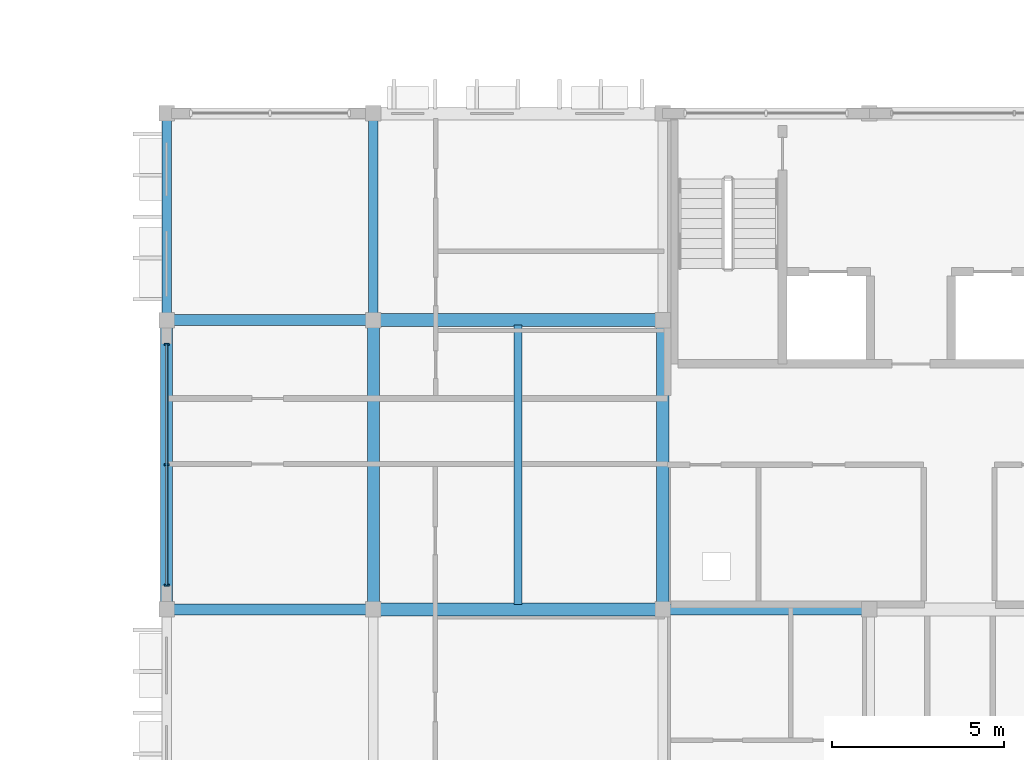
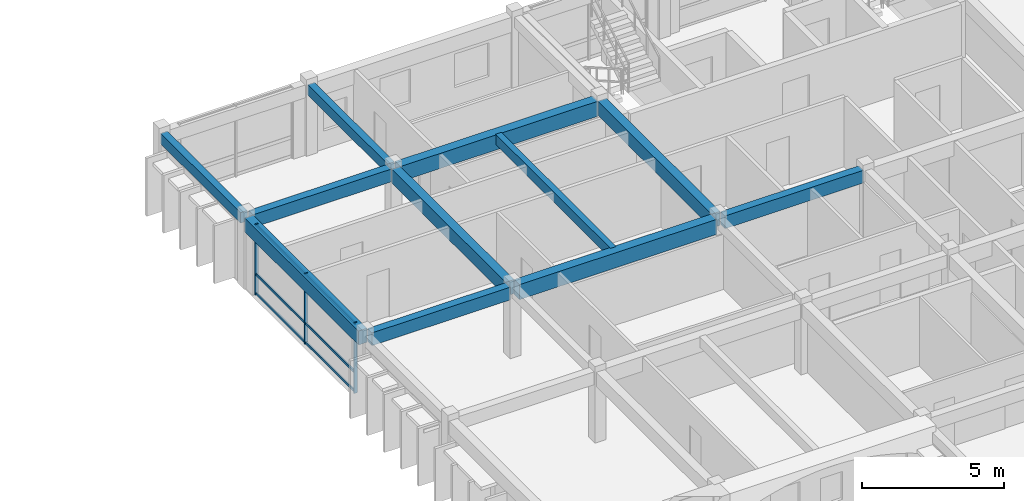
# One storey, part 13 of 76: 11 beams, 6 members, 1 element without a shape of its own.
"""IFC4 building model written with IfcOpenShell, lengths in metres."""

from ifc_helpers import new_model, si_unit, direction, frame, origin, origin_2d, place, context, subcontext, project, spatial, rectangle, extrude, material, material_profile, profile_set, type_object, element, aggregate, save


model = new_model("IFC4")

# Units and contexts
model_context = context("Model", 3, precision=1e-05, world=origin(), true_north=direction((0.0, 1.0)))
body_context = subcontext(model_context, "Body", "Model", "MODEL_VIEW")
ifc_project = project(units=[si_unit("LENGTHUNIT", "METRE"), si_unit("AREAUNIT", "SQUARE_METRE"), si_unit("VOLUMEUNIT", "CUBIC_METRE"), si_unit("PLANEANGLEUNIT", "RADIAN"), si_unit("MASSUNIT", "GRAM", prefix="KILO"), si_unit("THERMODYNAMICTEMPERATUREUNIT", "KELVIN")], contexts=[model_context])

# Site, building, storey
site_placement = place(None, origin())
site = spatial("IfcSite", under=ifc_project, at=site_placement, CompositionType="ELEMENT")
building_placement = place(site_placement, origin())
building = spatial("IfcBuilding", under=site, at=building_placement, Name="Thalorik Housing Commons", CompositionType="ELEMENT")
storey_placement = place(building_placement, frame((0.0, 0.0, 18.0)))
storey = spatial("IfcBuildingStorey", under=building, at=storey_placement, Name="L05", CompositionType="ELEMENT", Elevation=18.0)

# Curtain wall, members
ifc_material_1 = material(Name="Anodised aluminium and solar-control low-E glass", Category="aluminium")
curtain_wall_type = type_object("IfcCurtainWallType", Name="ARC-CW-LOUNGE", PredefinedType="USERDEFINED", material=ifc_material_1)
curtain_wall_placement = place(storey_placement, origin())
curtain_wall = element("IfcCurtainWall", 1, at=curtain_wall_placement, inside=storey, type_object=curtain_wall_type, Name="L05 Curtain Wall CW-RES-L05-D-192", ObjectType="CURTAIN WALL", PredefinedType="USERDEFINED")
ifc_material_2 = material(Name="Anodised aluminium 6063-T6", Category="aluminium")
ifc_material_profile_1 = material_profile(ifc_material_2, rectangle(XDim=0.054931640625, YDim=0.139892578125, at=origin_2d()), Name="ALU MUL 55x140", Category="aluminium")
ifc_profile_set_1 = profile_set([ifc_material_profile_1], Name="Anodised aluminium 6063-T6")
member_type_1 = type_object("IfcMemberType", Name="ARC-CW-MUL-55x140", PredefinedType="MULLION", material=ifc_profile_set_1)
member_1_placement = place(storey_placement, frame((138.0, 65.300048828125, 0.0), z_axis=(0.0, 0.0, 1.0), x_axis=(0.0, -1.0, 0.0)))
member_1 = element("IfcMember", 2, at=member_1_placement, type_object=member_type_1, Name="CW-RES-L05-D-192 Mullion 1", PredefinedType="MULLION", context=body_context, shape_type="SweptSolid", body=[
    extrude(rectangle(XDim=0.054931640625, YDim=0.139892578125, at=origin_2d()), origin(), (0.0, 0.0, 1.0), 3.0400390625),
])
member_2_placement = place(storey_placement, frame((138.0, 61.800048828125, 0.0), z_axis=(0.0, 0.0, 1.0), x_axis=(0.0, -1.0, 0.0)))
member_2 = element("IfcMember", 3, at=member_2_placement, type_object=member_type_1, Name="CW-RES-L05-D-192 Mullion 2", PredefinedType="MULLION", context=body_context, shape_type="SweptSolid", body=[
    extrude(rectangle(XDim=0.054931640625, YDim=0.139892578125, at=origin_2d()), origin(), (0.0, 0.0, 1.0), 3.0400390625),
])
member_3_placement = place(storey_placement, frame((138.0, 58.300048828125, 0.0), z_axis=(0.0, 0.0, 1.0), x_axis=(0.0, -1.0, 0.0)))
member_3 = element("IfcMember", 4, at=member_3_placement, type_object=member_type_1, Name="CW-RES-L05-D-192 Mullion 3", PredefinedType="MULLION", context=body_context, shape_type="SweptSolid", body=[
    extrude(rectangle(XDim=0.054931640625, YDim=0.139892578125, at=origin_2d()), origin(), (0.0, 0.0, 1.0), 3.0400390625),
])
ifc_material_profile_2 = material_profile(ifc_material_2, rectangle(XDim=0.054931640625, YDim=0.10498046875, at=origin_2d()), Name="ALU TRN 55x105", Category="aluminium")
ifc_profile_set_2 = profile_set([ifc_material_profile_2], Name="Anodised aluminium 6063-T6")
member_type_2 = type_object("IfcMemberType", Name="ARC-CW-TRN-55x105", PredefinedType="USERDEFINED", material=ifc_profile_set_2)
member_4_placement = place(storey_placement, frame((138.0, 65.300048828125, 0.054931640625), z_axis=(0.0, -1.0, 0.0), x_axis=(1.0, 0.0, 0.0)))
member_4 = element("IfcMember", 5, at=member_4_placement, type_object=member_type_2, Name="CW-RES-L05-D-192 Transom 1", ObjectType="TRANSOM", PredefinedType="USERDEFINED", context=body_context, shape_type="SweptSolid", body=[
    extrude(rectangle(XDim=0.054931640625, YDim=0.10498046875, at=origin_2d()), origin(), (0.0, 0.0, 1.0), 7.0),
])
member_5_placement = place(storey_placement, frame((138.0, 65.300048828125, 0.8798828125), z_axis=(0.0, -1.0, 0.0), x_axis=(1.0, 0.0, 0.0)))
member_5 = element("IfcMember", 6, at=member_5_placement, type_object=member_type_2, Name="CW-RES-L05-D-192 Transom 2", ObjectType="TRANSOM", PredefinedType="USERDEFINED", context=body_context, shape_type="SweptSolid", body=[
    extrude(rectangle(XDim=0.054931640625, YDim=0.10498046875, at=origin_2d()), origin(), (0.0, 0.0, 1.0), 7.0),
])
member_6_placement = place(storey_placement, frame((138.0, 65.300048828125, 2.985107421875), z_axis=(0.0, -1.0, 0.0), x_axis=(1.0, 0.0, 0.0)))
member_6 = element("IfcMember", 7, at=member_6_placement, type_object=member_type_2, Name="CW-RES-L05-D-192 Transom 3", ObjectType="TRANSOM", PredefinedType="USERDEFINED", context=body_context, shape_type="SweptSolid", body=[
    extrude(rectangle(XDim=0.054931640625, YDim=0.10498046875, at=origin_2d()), origin(), (0.0, 0.0, 1.0), 7.0),
])
aggregate(curtain_wall, [member_1, member_2, member_3, member_4, member_5, member_6])

# Beams
ifc_material_3 = material(Name="Precast concrete C40/50", Category="concrete")
ifc_material_profile_3 = material_profile(ifc_material_3, rectangle(XDim=0.280029296875, YDim=0.449951171875, at=origin_2d()), Name="PC 280x450", Category="concrete")
ifc_profile_set_3 = profile_set([ifc_material_profile_3], Name="Precast concrete C40/50")
beam_type_1 = type_object("IfcBeamType", Name="STR-BM-PC280x450", PredefinedType="BEAM", material=ifc_profile_set_3)
for number, where, z_axis, x_axis, name in (
    (8, (138.0, 66.175048828125, 2.81494140625), (0.0, 1.0, 0.0), (-1.0, 0.0, 0.0), "L05 Beam B-450"),
    (9, (144.0, 66.175048828125, 2.81494140625), (0.0, 1.0, 0.0), (-1.0, 0.0, 0.0), "L05 Beam B-450"),
):
    element("IfcBeam", number, at=place(storey_placement, frame(where, z_axis=z_axis, x_axis=x_axis)), inside=storey, type_object=beam_type_1, Name=name, PredefinedType="BEAM", context=body_context, shape_type="SweptSolid", body=[
        extrude(rectangle(XDim=0.280029296875, YDim=0.449951171875, at=origin_2d()), origin(), (0.0, 0.0, 1.0), 5.64990234375),
    ])
ifc_material_profile_4 = material_profile(ifc_material_3, rectangle(XDim=0.320068359375, YDim=0.550048828125, at=origin_2d()), Name="PC 320x550", Category="concrete")
ifc_profile_set_4 = profile_set([ifc_material_profile_4], Name="Precast concrete C40/50")
beam_type_2 = type_object("IfcBeamType", Name="STR-BM-PC320x550", PredefinedType="BEAM", material=ifc_profile_set_4)
beam_1_placement = place(storey_placement, frame((138.175048828125, 57.60009765625, 2.764892578125), z_axis=(1.0, 0.0, 0.0), x_axis=(0.0, 1.0, 0.0)))
element("IfcBeam", 10, at=beam_1_placement, inside=storey, type_object=beam_type_2, Name="L05 Beam B-550", PredefinedType="BEAM", context=body_context, shape_type="SweptSolid", body=[
    extrude(rectangle(XDim=0.320068359375, YDim=0.550048828125, at=origin_2d()), origin(), (0.0, 0.0, 1.0), 5.64990234375),
])
beam_2_placement = place(storey_placement, frame((152.574951171875, 57.60009765625, 2.764892578125), z_axis=(1.0, 0.0, 0.0), x_axis=(0.0, 1.0, 0.0)))
element("IfcBeam", 11, at=beam_2_placement, inside=storey, type_object=beam_type_2, Name="L05 Beam B-550", PredefinedType="BEAM", context=body_context, shape_type="SweptSolid", body=[
    extrude(rectangle(XDim=0.320068359375, YDim=0.550048828125, at=origin_2d()), origin(), (0.0, 0.0, 1.0), 5.650146484375),
])
beam_3_placement = place(storey_placement, frame((138.175048828125, 66.0, 2.764892578125), z_axis=(1.0, 0.0, 0.0), x_axis=(0.0, 1.0, 0.0)))
element("IfcBeam", 12, at=beam_3_placement, inside=storey, type_object=beam_type_2, Name="L05 Beam B-550", PredefinedType="BEAM", context=body_context, shape_type="SweptSolid", body=[
    extrude(rectangle(XDim=0.320068359375, YDim=0.550048828125, at=origin_2d()), origin(), (0.0, 0.0, 1.0), 5.64990234375),
])
ifc_material_profile_5 = material_profile(ifc_material_3, rectangle(XDim=0.35009765625, YDim=0.60009765625, at=origin_2d()), Name="PC 350x600", Category="concrete")
ifc_profile_set_5 = profile_set([ifc_material_profile_5], Name="Precast concrete C40/50")
beam_type_3 = type_object("IfcBeamType", Name="STR-BM-PC350x600", PredefinedType="BEAM", material=ifc_profile_set_5)
for number, where, z_axis, x_axis, name in (
    (13, (138.0, 57.77490234375, 2.739990234375), (0.0, 1.0, 0.0), (-1.0, 0.0, 0.0), "L05 Beam B-600"),
    (14, (144.0, 57.77490234375, 2.739990234375), (0.0, 1.0, 0.0), (-1.0, 0.0, 0.0), "L05 Beam B-600"),
    (15, (152.39990234375, 57.77490234375, 2.739990234375), (0.0, 1.0, 0.0), (-1.0, 0.0, 0.0), "L05 Beam B-600"),
):
    element("IfcBeam", number, at=place(storey_placement, frame(where, z_axis=z_axis, x_axis=x_axis)), inside=storey, type_object=beam_type_3, Name=name, PredefinedType="BEAM", context=body_context, shape_type="SweptSolid", body=[
        extrude(rectangle(XDim=0.35009765625, YDim=0.60009765625, at=origin_2d()), origin(), (0.0, 0.0, 1.0), 8.050048828125),
    ])
ifc_material_profile_6 = material_profile(ifc_material_3, rectangle(XDim=0.3798828125, YDim=0.64990234375, at=origin_2d()), Name="PC 380x650", Category="concrete")
ifc_profile_set_6 = profile_set([ifc_material_profile_6], Name="Precast concrete C40/50")
beam_type_4 = type_object("IfcBeamType", Name="STR-BM-PC380x650", PredefinedType="BEAM", material=ifc_profile_set_6)
for number, where, z_axis, x_axis, name in (
    (16, (144.175048828125, 57.60009765625, 2.715087890625), (1.0, 0.0, 0.0), (0.0, 1.0, 0.0), "L05 Beam B-650"),
    (17, (144.175048828125, 66.0, 2.715087890625), (1.0, 0.0, 0.0), (0.0, 1.0, 0.0), "L05 Beam B-650"),
):
    element("IfcBeam", number, at=place(storey_placement, frame(where, z_axis=z_axis, x_axis=x_axis)), inside=storey, type_object=beam_type_4, Name=name, PredefinedType="BEAM", context=body_context, shape_type="SweptSolid", body=[
        extrude(rectangle(XDim=0.3798828125, YDim=0.64990234375, at=origin_2d()), origin(), (0.0, 0.0, 1.0), 8.050048828125),
    ])
ifc_material_profile_7 = material_profile(ifc_material_3, rectangle(XDim=0.239990234375, YDim=0.43994140625, at=origin_2d()), Name="PC JST 240x440", Category="concrete")
ifc_profile_set_7 = profile_set([ifc_material_profile_7], Name="Precast concrete C40/50")
beam_type_5 = type_object("IfcBeamType", Name="STR-JST-PC240x440", PredefinedType="JOIST", material=ifc_profile_set_7)
beam_4_placement = place(storey_placement, frame((148.199951171875, 57.739990234375, 2.820068359375), z_axis=(0.0, 1.0, 0.0), x_axis=(-1.0, 0.0, 0.0)))
element("IfcBeam", 18, at=beam_4_placement, inside=storey, type_object=beam_type_5, Name="L05 Beam J-440", PredefinedType="JOIST", context=body_context, shape_type="SweptSolid", body=[
    extrude(rectangle(XDim=0.239990234375, YDim=0.43994140625, at=origin_2d()), origin(), (0.0, 0.0, 1.0), 8.1201171875),
])

save(model, "model.ifc")
